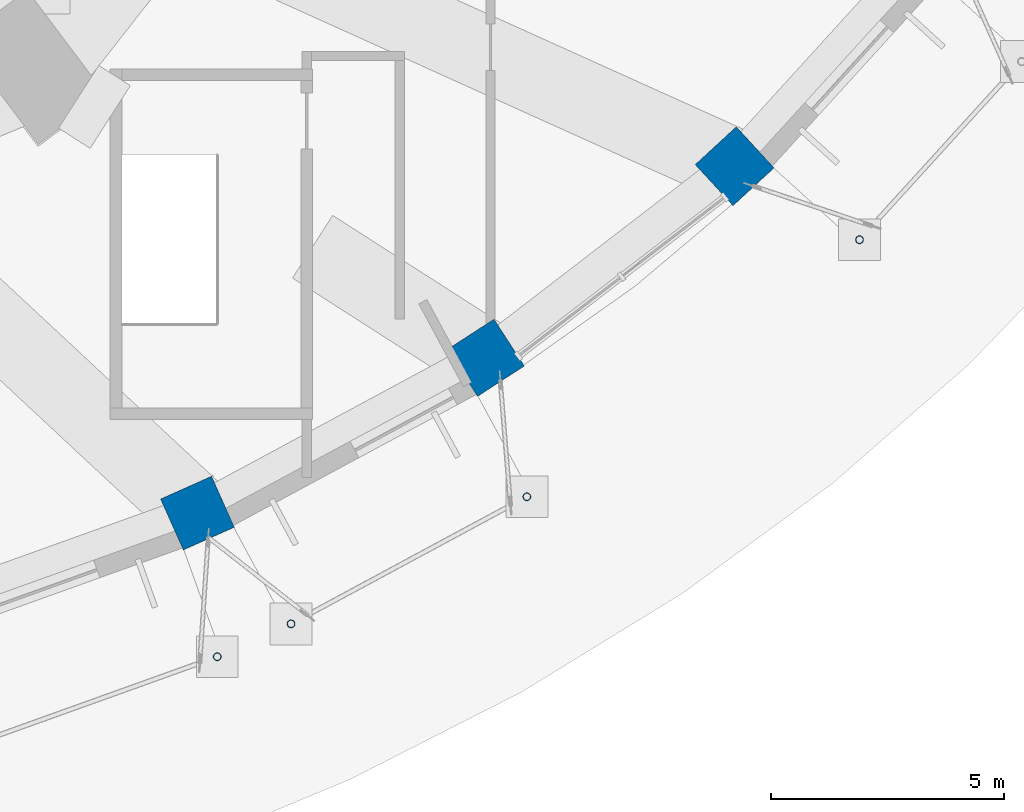
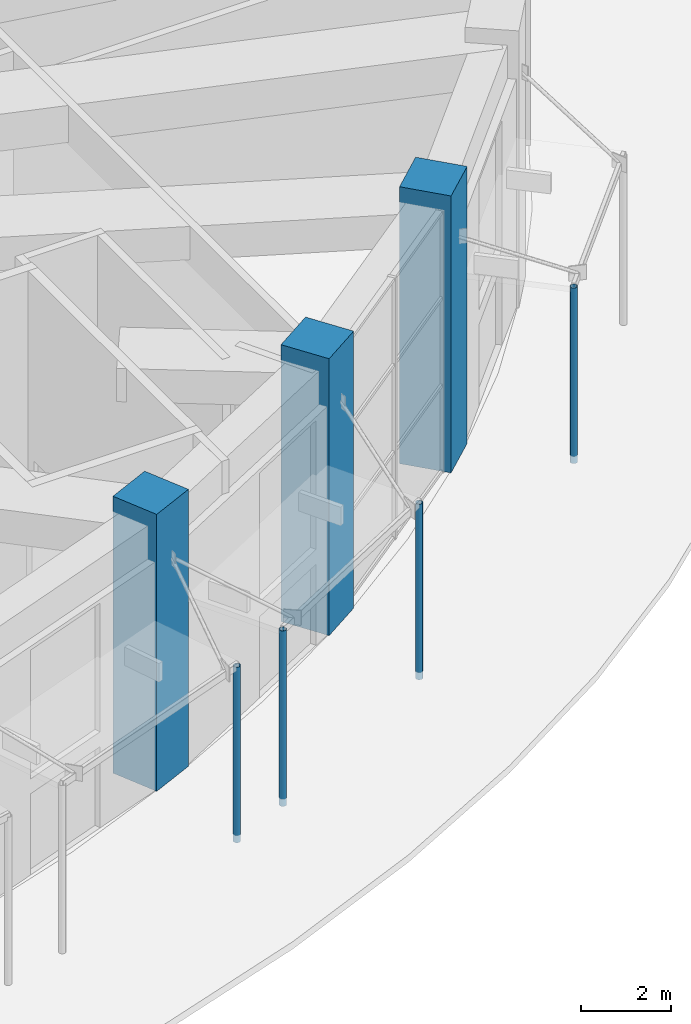
# One storey, part 11 of 60: 7 columns.
"""IFC4 building model written with IfcOpenShell, lengths in metres."""

from ifc_helpers import new_model, si_unit, direction, frame, origin, origin_2d, place, context, subcontext, project, spatial, rectangle, hollow_circle, extrude, material, material_profile, profile_set, type_object, element, save


model = new_model("IFC4")

# Units and contexts
model_context = context("Model", 3, precision=1e-05, world=origin(), true_north=direction((0.0, 1.0)))
body_context = subcontext(model_context, "Body", "Model", "MODEL_VIEW")
ifc_project = project(units=[si_unit("LENGTHUNIT", "METRE"), si_unit("AREAUNIT", "SQUARE_METRE"), si_unit("VOLUMEUNIT", "CUBIC_METRE"), si_unit("PLANEANGLEUNIT", "RADIAN"), si_unit("MASSUNIT", "GRAM", prefix="KILO")], contexts=[model_context])

# Site, building, storey
site_placement = place(None, origin())
site = spatial("IfcSite", under=ifc_project, at=site_placement, CompositionType="ELEMENT")
building_placement = place(site_placement, origin())
building = spatial("IfcBuilding", under=site, at=building_placement, Name="Taillehof Tower", CompositionType="ELEMENT")
storey_placement = place(building_placement, origin())
storey = spatial("IfcBuildingStorey", under=building, at=storey_placement, Name="L00", CompositionType="ELEMENT", Elevation=0.0)

# Columns
ifc_material_1 = material(Name="Steel S460M", Category="steel")
ifc_material_profile_1 = material_profile(ifc_material_1, hollow_circle(Radius=0.084228515625, WallThickness=0.008056640625, at=origin_2d()), Name="CHS 168.3x8")
ifc_profile_set_1 = profile_set([ifc_material_profile_1], Name="Steel S460M")
column_type_1 = type_object("IfcColumnType", Name="Canopy post CHS 168.3x8", PredefinedType="COLUMN", material=ifc_profile_set_1)
for number, where, z_axis, x_axis, name in (
    (1, (22.1259765625, -32.01220703125, -0.199951171875), (0.0, 0.0, 1.0), (1.0, 0.0, 0.0), "Canopy post E8"),
    (2, (23.711669921875, -31.30517578125, -0.199951171875), (0.0, 0.0, 1.0), (1.0, 0.0, 0.0), "Canopy post E22"),
    (3, (28.780517578125, -28.573486328125, -0.199951171875), (0.0, 0.0, 1.0), (1.0, 0.0, 0.0), "Canopy post E22"),
    (4, (35.93017578125, -23.04931640625, -0.199951171875), (0.0, 0.0, 1.0), (1.0, 0.0, 0.0), "Canopy post E13"),
):
    element("IfcColumn", number, at=place(storey_placement, frame(where, z_axis=z_axis, x_axis=x_axis)), inside=storey, type_object=column_type_1, Name=name, PredefinedType="COLUMN", context=body_context, shape_type="SweptSolid", body=[
        extrude(hollow_circle(Radius=0.084228515625, WallThickness=0.008056640625, at=origin_2d()), origin(), (0.0, 0.0, 1.0), 4.7548828125),
    ])
ifc_material_2 = material(Name="Concrete C60/75", Category="concrete")
ifc_material_profile_2 = material_profile(ifc_material_2, rectangle(XDim=1.199951171875, YDim=1.199951171875, at=origin_2d()), Name="RC 1200x1200")
ifc_profile_set_2 = profile_set([ifc_material_profile_2], Name="Concrete C60/75")
column_type_2 = type_object("IfcColumnType", Name="Podium column C60/75 1200x1200", PredefinedType="COLUMN", material=ifc_profile_set_2)
for number, where, z_axis, x_axis, name in (
    (5, (21.699951171875, -28.92529296875, 0.0), (0.0, 0.0, 1.0), (0.407426758957, -0.913237885814, 0.0), "Podium column PC31"),
    (6, (27.89697265625, -25.5859375, 0.0), (0.0, 0.0, 1.0), (0.544041391531, -0.839058379554, 0.0), "Podium column PC32"),
    (7, (33.246337890625, -21.468994140625, 0.0), (0.0, 0.0, 1.0), (0.677415246737, -0.735600831626, 0.0), "Podium column PC33"),
):
    element("IfcColumn", number, at=place(storey_placement, frame(where, z_axis=z_axis, x_axis=x_axis)), inside=storey, type_object=column_type_2, Name=name, PredefinedType="COLUMN", context=body_context, shape_type="SweptSolid", body=[
        extrude(rectangle(XDim=1.199951171875, YDim=1.199951171875, at=origin_2d()), origin(), (0.0, 0.0, 1.0), 7.5),
    ])

save(model, "model.ifc")
